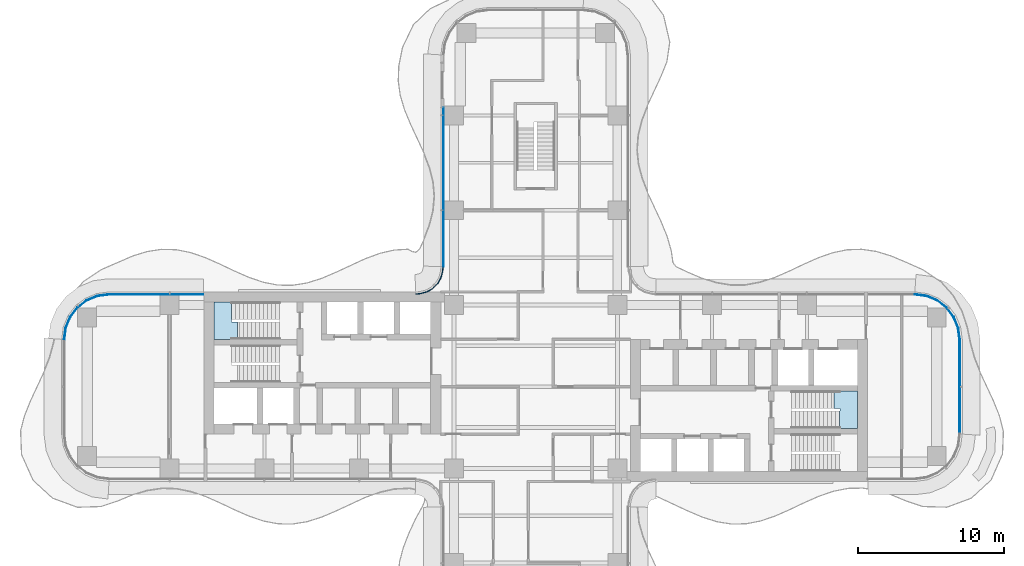
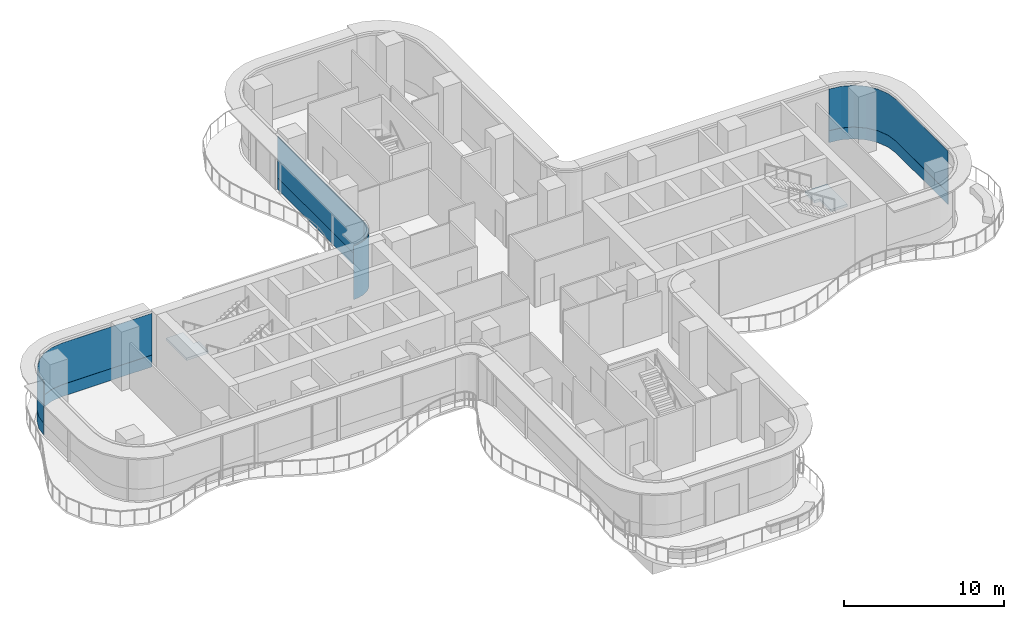
# One storey, part 15 of 22: 7 plates, 2 slabs, 6 elements without a shape of their own.
"""IFC4 building model written with IfcOpenShell, lengths in metres."""

from ifc_helpers import new_model, si_unit, direction, frame, origin, place, context, subcontext, project, spatial, polyline, outline, extrude, source, transform, mapped, material, layer, layer_set, type_object, element, aggregate, save


model = new_model("IFC4")

# Units and contexts
model_context = context("Model", 3, precision=1e-05, world=origin(), true_north=direction((0.0, 1.0)))
body_context = subcontext(model_context, "Body", "Model", "MODEL_VIEW")
ifc_project = project(units=[si_unit("LENGTHUNIT", "METRE"), si_unit("AREAUNIT", "SQUARE_METRE"), si_unit("VOLUMEUNIT", "CUBIC_METRE"), si_unit("PLANEANGLEUNIT", "RADIAN"), si_unit("MASSUNIT", "GRAM", prefix="KILO")], contexts=[model_context])

# Site, building, storey
site_placement = place(None, origin())
site = spatial("IfcSite", under=ifc_project, at=site_placement, CompositionType="ELEMENT")
building_placement = place(site_placement, origin())
building = spatial("IfcBuilding", under=site, at=building_placement, Name="Trellis Farm Tower", CompositionType="ELEMENT")
storey_placement = place(building_placement, frame((0.0, 0.0, 124.5)))
storey = spatial("IfcBuildingStorey", under=building, at=storey_placement, Name="L26", CompositionType="ELEMENT", Elevation=124.5)

# Stair, slab
ifc_material_1 = material(Name="Concrete C50/60", Category="concrete")
stair_type = type_object("IfcStairType", Name="CORE EXIT STAIR 26 RISERS 173 MM", PredefinedType="HALF_TURN_STAIR", material=ifc_material_1)
placement_1 = place(storey_placement, origin())
stair_1 = element("IfcStair", 1, at=placement_1, inside=storey, type_object=stair_type, Name="Exit stair E2", PredefinedType="HALF_TURN_STAIR")
ifc_layer_1 = layer(ifc_material_1, 0.18994140625)
ifc_layer_set_1 = layer_set([ifc_layer_1], Name="CORE STAIR LANDING 190 CONCRETE C50/60")
slab_type = type_object("IfcSlabType", Name="CORE STAIR LANDING 190 CONCRETE C50/60", PredefinedType="LANDING", material=ifc_layer_set_1)
shared_shape_1 = source(origin(), body_context, "Body", "SweptSolid", [
    extrude(outline(polyline([(20.840087890625, -2.85009765625), (20.840087890625, -1.64990234375), (20.85009765625, -1.64990234375), (20.85009765625, -1.5), (20.453125, -1.5), (20.453125, -0.300048828125), (20.85009765625, -0.300048828125), (22.050048828125, -0.300048828125), (22.050048828125, -2.85009765625), (20.85009765625, -2.85009765625), (20.840087890625, -2.85009765625)])), origin(), (0.0, 0.0, 1.0), 0.18994140625),
])
placement_2 = place(storey_placement, frame((0.0, 0.0, 2.06005859375)))
slab_1 = element("IfcSlab", 2, at=placement_2, type_object=slab_type, Name="STE2 landing 1", PredefinedType="LANDING", context=body_context, shape_type="MappedRepresentation", body=[
    mapped(shared_shape_1, transform((0.0, 0.0, 0.0))),
])
aggregate(stair_1, [slab_1])

stair_2 = element("IfcStair", 3, at=placement_1, inside=storey, type_object=stair_type, Name="Exit stair W1", PredefinedType="HALF_TURN_STAIR")
shared_shape_2 = source(origin(), body_context, "Body", "SweptSolid", [
    extrude(outline(polyline([(-20.453125, 4.449951171875), (-20.453125, 3.25), (-20.85009765625, 3.25), (-22.050048828125, 3.25), (-22.050048828125, 5.800048828125), (-20.85009765625, 5.800048828125), (-20.840087890625, 5.800048828125), (-20.840087890625, 4.60009765625), (-20.85009765625, 4.60009765625), (-20.85009765625, 4.449951171875), (-20.453125, 4.449951171875)])), origin(), (0.0, 0.0, 1.0), 0.18994140625),
])
slab_2 = element("IfcSlab", 4, at=placement_2, type_object=slab_type, Name="STW1 landing 1", PredefinedType="LANDING", context=body_context, shape_type="MappedRepresentation", body=[
    mapped(shared_shape_2, transform((0.0, 0.0, 0.0))),
])
aggregate(stair_2, [slab_2])

# Curtain wall, plate
ifc_material_2 = material(Name="Aluminium and glass curtain wall", Category="aluminium")
ifc_layer_2 = layer(ifc_material_2, 0.166015625)
ifc_layer_set_2 = layer_set([ifc_layer_2], Name="WINTER GARDEN CURTAIN WALL CW3")
curtain_wall_type_1 = type_object("IfcCurtainWallType", Name="WINTER GARDEN CURTAIN WALL CW3", PredefinedType="NOTDEFINED", material=ifc_layer_set_2)
curtain_wall_1 = element("IfcCurtainWall", 5, at=placement_1, inside=storey, type_object=curtain_wall_type_1, Name="CW3 004", PredefinedType="NOTDEFINED")
ifc_material_3 = material(Name="Clear insulated glass", Category="glass")
ifc_layer_3 = layer(ifc_material_3, 0.0458984375)
ifc_layer_set_3 = layer_set([ifc_layer_3], Name="CW3 GLASS PANEL 46")
plate_type_1 = type_object("IfcPlateType", Name="CW3 GLASS PANEL 46", PredefinedType="CURTAIN_PANEL", material=ifc_layer_set_3)
shared_shape_3 = source(origin(), body_context, "Body", "SweptSolid", [
    extrude(outline(polyline([(-6.3798828125, 8.2275390625), (-6.394287109375, 8.0078125), (-6.40966796875, 7.89208984375), (-6.52490234375, 7.462158203125), (-6.7509765625, 7.070556640625), (-7.070556640625, 6.7509765625), (-7.462158203125, 6.52490234375), (-7.89208984375, 6.40966796875), (-8.0078125, 6.394287109375), (-8.2275390625, 6.3798828125), (-8.22607421875, 6.333984375), (-8.003173828125, 6.3486328125), (-7.883056640625, 6.364501953125), (-7.4443359375, 6.48193359375), (-7.04248046875, 6.714111328125), (-6.714111328125, 7.04248046875), (-6.48193359375, 7.4443359375), (-6.364501953125, 7.883056640625), (-6.3486328125, 8.003173828125), (-6.333984375, 8.22607421875), (-6.3798828125, 8.2275390625)])), origin(), (0.0, 0.0, 1.0), 4.10009765625),
])
plate_1 = element("IfcPlate", 6, at=placement_1, type_object=plate_type_1, Name="PL3 004", PredefinedType="CURTAIN_PANEL", context=body_context, shape_type="MappedRepresentation", body=[
    mapped(shared_shape_3, transform((0.0, 0.0, 0.0))),
])
aggregate(curtain_wall_1, [plate_1])

# Curtain wall, plates
ifc_layer_4 = layer(ifc_material_2, 0.18994140625)
ifc_layer_set_4 = layer_set([ifc_layer_4], Name="RIBBON CURTAIN WALL CW1")
curtain_wall_type_2 = type_object("IfcCurtainWallType", Name="RIBBON CURTAIN WALL CW1", PredefinedType="NOTDEFINED", material=ifc_layer_set_4)
curtain_wall_2 = element("IfcCurtainWall", 7, at=placement_1, inside=storey, type_object=curtain_wall_type_2, Name="CW1 013", PredefinedType="NOTDEFINED")
ifc_layer_5 = layer(ifc_material_3, 0.0400390625)
ifc_layer_set_5 = layer_set([ifc_layer_5], Name="CW1 GLASS PANEL 40")
plate_type_2 = type_object("IfcPlateType", Name="CW1 GLASS PANEL 40", PredefinedType="CURTAIN_PANEL", material=ifc_layer_set_5)
shared_shape_4 = source(origin(), body_context, "Body", "SweptSolid", [
    extrude(outline(polyline([(-22.780029296875, 6.35009765625), (-29.240234375, 6.35009765625), (-30.052001953125, 6.2431640625), (-30.79931640625, 5.93359375), (-31.441162109375, 5.441162109375), (-31.93359375, 4.79931640625), (-32.2431640625, 4.052001953125), (-32.35009765625, 3.240234375), (-32.31005859375, 3.237548828125), (-32.2041015625, 4.04150390625), (-31.898681640625, 4.779296875), (-31.41259765625, 5.41259765625), (-30.779296875, 5.898681640625), (-30.04150390625, 6.2041015625), (-29.237548828125, 6.31005859375), (-22.780029296875, 6.31005859375), (-22.780029296875, 6.35009765625)])), origin(), (0.0, 0.0, 1.0), 3.170166015625),
])
placement_3 = place(storey_placement, frame((0.0, 0.0, 0.89990234375)))
plate_2 = element("IfcPlate", 8, at=placement_3, type_object=plate_type_2, Name="PL1 013", PredefinedType="CURTAIN_PANEL", context=body_context, shape_type="MappedRepresentation", body=[
    mapped(shared_shape_4, transform((0.0, 0.0, 0.0))),
])
ifc_material_4 = material(Name="Sandstone faced insulated panel", Category="masonry")
ifc_layer_6 = layer(ifc_material_4, 0.050048828125)
ifc_layer_set_6 = layer_set([ifc_layer_6], Name="CW1 STONE SPANDREL PANEL 50")
plate_type_3 = type_object("IfcPlateType", Name="CW1 STONE SPANDREL PANEL 50", PredefinedType="CURTAIN_PANEL", material=ifc_layer_set_6)
shared_shape_5 = source(origin(), body_context, "Body", "SweptSolid", [
    extrude(outline(polyline([(-22.780029296875, 6.35009765625), (-29.240234375, 6.35009765625), (-30.052001953125, 6.2431640625), (-30.79931640625, 5.93359375), (-31.441162109375, 5.441162109375), (-31.93359375, 4.79931640625), (-32.2431640625, 4.052001953125), (-32.35009765625, 3.240234375), (-32.300048828125, 3.23681640625), (-32.1943359375, 4.0390625), (-31.889892578125, 4.774169921875), (-31.405517578125, 5.405517578125), (-30.774169921875, 5.889892578125), (-30.0390625, 6.1943359375), (-29.23681640625, 6.300048828125), (-22.780029296875, 6.300048828125), (-22.780029296875, 6.35009765625)])), origin(), (0.0, 0.0, 1.0), 0.89990234375),
])
plate_3 = element("IfcPlate", 9, at=placement_1, type_object=plate_type_3, Name="PS1 013", PredefinedType="CURTAIN_PANEL", context=body_context, shape_type="MappedRepresentation", body=[
    mapped(shared_shape_5, transform((0.0, 0.0, 0.0))),
])
aggregate(curtain_wall_2, [plate_2, plate_3])

curtain_wall_3 = element("IfcCurtainWall", 10, at=placement_1, inside=storey, type_object=curtain_wall_type_2, Name="CW1 007", PredefinedType="NOTDEFINED")
shared_shape_6 = source(origin(), body_context, "Body", "SweptSolid", [
    extrude(outline(polyline([(29.10009765625, -3.240234375), (29.10009765625, 3.240234375), (28.9931640625, 4.052001953125), (28.68359375, 4.79931640625), (28.191162109375, 5.441162109375), (27.54931640625, 5.93359375), (26.802001953125, 6.2431640625), (25.990234375, 6.35009765625), (25.987548828125, 6.31005859375), (26.79150390625, 6.2041015625), (27.529296875, 5.898681640625), (28.16259765625, 5.41259765625), (28.648681640625, 4.779296875), (28.9541015625, 4.04150390625), (29.06005859375, 3.237548828125), (29.06005859375, -3.237548828125), (29.10009765625, -3.240234375)])), origin(), (0.0, 0.0, 1.0), 3.170166015625),
])
plate_4 = element("IfcPlate", 11, at=placement_3, type_object=plate_type_2, Name="PL1 007", PredefinedType="CURTAIN_PANEL", context=body_context, shape_type="MappedRepresentation", body=[
    mapped(shared_shape_6, transform((0.0, 0.0, 0.0))),
])
shared_shape_7 = source(origin(), body_context, "Body", "SweptSolid", [
    extrude(outline(polyline([(29.10009765625, -3.240234375), (29.10009765625, 3.240234375), (28.9931640625, 4.052001953125), (28.68359375, 4.79931640625), (28.191162109375, 5.441162109375), (27.54931640625, 5.93359375), (26.802001953125, 6.2431640625), (25.990234375, 6.35009765625), (25.98681640625, 6.300048828125), (26.7890625, 6.1943359375), (27.524169921875, 5.889892578125), (28.155517578125, 5.405517578125), (28.639892578125, 4.774169921875), (28.9443359375, 4.0390625), (29.050048828125, 3.23681640625), (29.050048828125, -3.23681640625), (29.10009765625, -3.240234375)])), origin(), (0.0, 0.0, 1.0), 0.89990234375),
])
plate_5 = element("IfcPlate", 12, at=placement_1, type_object=plate_type_3, Name="PS1 007", PredefinedType="CURTAIN_PANEL", context=body_context, shape_type="MappedRepresentation", body=[
    mapped(shared_shape_7, transform((0.0, 0.0, 0.0))),
])
aggregate(curtain_wall_3, [plate_4, plate_5])

curtain_wall_4 = element("IfcCurtainWall", 13, at=placement_1, inside=storey, type_object=curtain_wall_type_2, Name="CW1 012", PredefinedType="NOTDEFINED")
shared_shape_8 = source(origin(), body_context, "Body", "SweptSolid", [
    extrude(outline(polyline([(-6.35009765625, 19.114990234375), (-6.35009765625, 8.2265625), (-6.31005859375, 8.22509765625), (-6.31005859375, 19.114990234375), (-6.35009765625, 19.114990234375)])), origin(), (0.0, 0.0, 1.0), 3.170166015625),
])
plate_6 = element("IfcPlate", 14, at=placement_3, type_object=plate_type_2, Name="PL1 012", PredefinedType="CURTAIN_PANEL", context=body_context, shape_type="MappedRepresentation", body=[
    mapped(shared_shape_8, transform((0.0, 0.0, 0.0))),
])
shared_shape_9 = source(origin(), body_context, "Body", "SweptSolid", [
    extrude(outline(polyline([(-6.35009765625, 19.114990234375), (-6.35009765625, 8.2265625), (-6.300048828125, 8.224853515625), (-6.300048828125, 19.114990234375), (-6.35009765625, 19.114990234375)])), origin(), (0.0, 0.0, 1.0), 0.89990234375),
])
plate_7 = element("IfcPlate", 15, at=placement_1, type_object=plate_type_3, Name="PS1 012", PredefinedType="CURTAIN_PANEL", context=body_context, shape_type="MappedRepresentation", body=[
    mapped(shared_shape_9, transform((0.0, 0.0, 0.0))),
])
aggregate(curtain_wall_4, [plate_6, plate_7])

save(model, "model.ifc")
